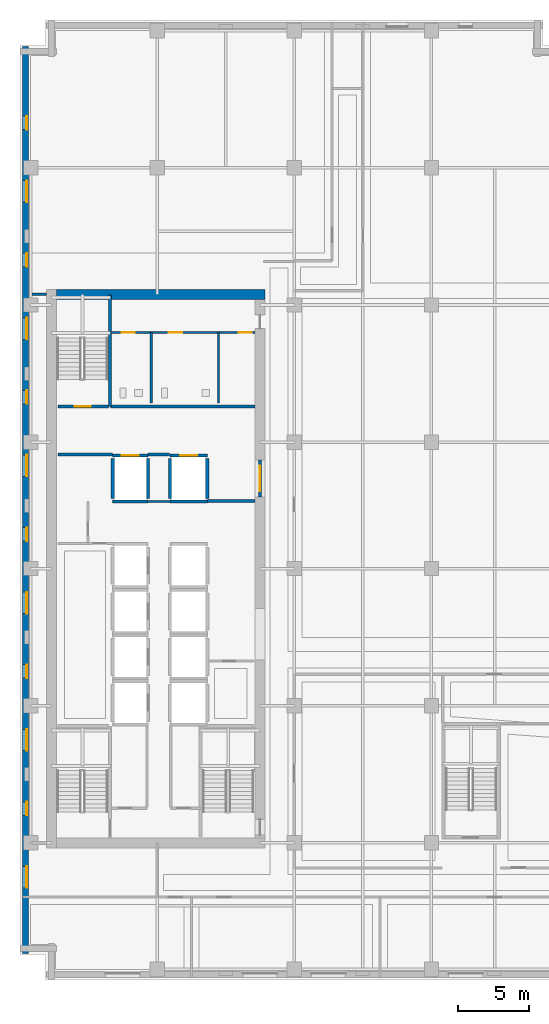
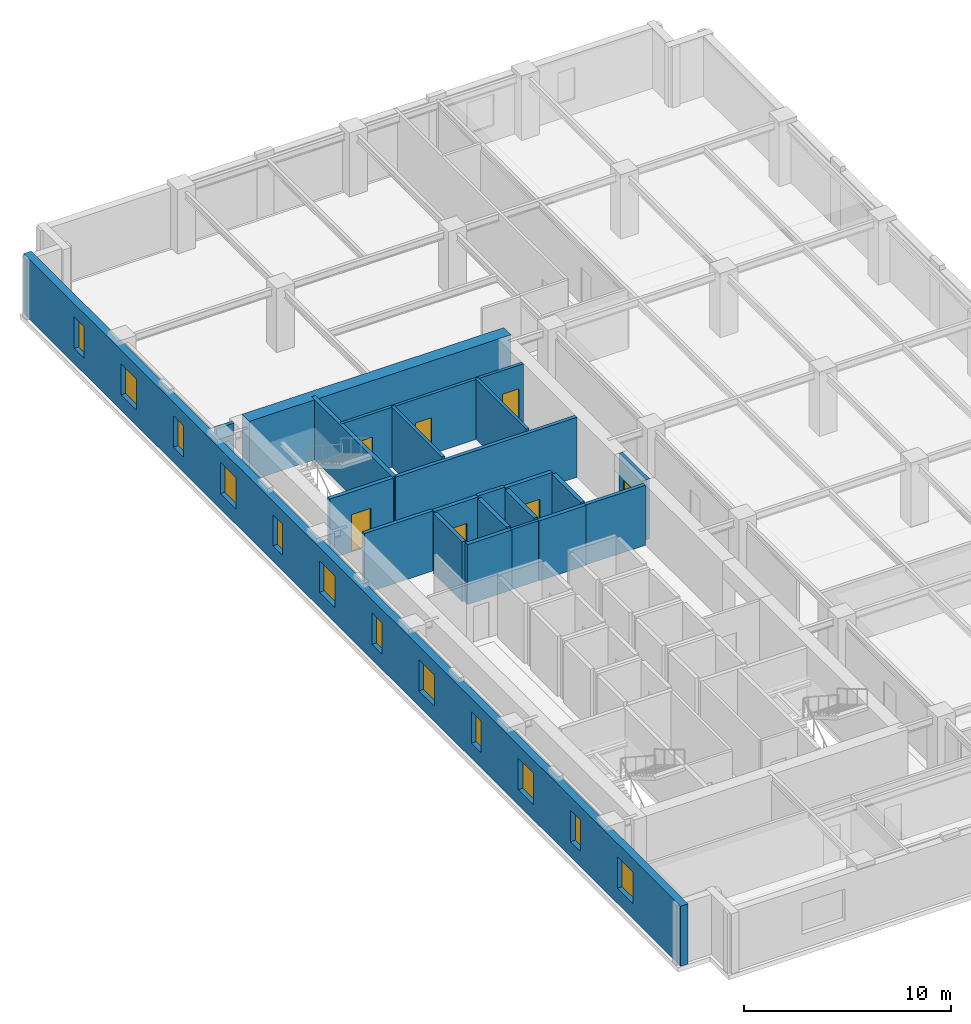
# One storey, part 6 of 12: 22 walls, 12 windows, 7 doors, 19 openings.
"""IFC4 building model written with IfcOpenShell, lengths in metres."""

from ifc_helpers import new_model, si_unit, direction, frame, frame_2d, origin, place, context, subcontext, project, spatial, rectangle, extrude, material, layer, layer_set, type_object, element, fill, save


model = new_model("IFC4")

# Units and contexts
model_context = context("Model", 3, precision=1e-05, world=origin(), true_north=direction((0.0, 1.0)))
body_context = subcontext(model_context, "Body", "Model", "MODEL_VIEW")
ifc_project = project(units=[si_unit("LENGTHUNIT", "METRE"), si_unit("AREAUNIT", "SQUARE_METRE"), si_unit("VOLUMEUNIT", "CUBIC_METRE"), si_unit("PLANEANGLEUNIT", "RADIAN"), si_unit("MASSUNIT", "GRAM", prefix="KILO")], contexts=[model_context])

# Site, building, storey
site_placement = place(None, origin())
site = spatial("IfcSite", under=ifc_project, at=site_placement, CompositionType="ELEMENT")
building_placement = place(site_placement, origin())
building = spatial("IfcBuilding", under=site, at=building_placement, Name="Norrvale University Quadrangle", CompositionType="ELEMENT")
storey_placement = place(building_placement, frame((0.0, 0.0, 101.39990234375)))
storey = spatial("IfcBuildingStorey", under=building, at=storey_placement, Name="L25", CompositionType="ELEMENT", Elevation=101.39990234375)

# Wall, openings, windows
ifc_material_1 = material(Name="Buff Norman Clay Brick Masonry", Category="masonry")
ifc_layer_1 = layer(ifc_material_1, 0.419921875, Name="Buff Norman Clay Brick Masonry")
ifc_layer_set_1 = layer_set([ifc_layer_1], Name="Buff Norman Clay Brick Masonry")
wall_type_1 = type_object("IfcWallType", Name="Wall Buff Brick 420", PredefinedType="SOLIDWALL", material=ifc_layer_set_1)
wall_1_placement = place(storey_placement, frame((0.389892578125, 65.360107421875, 0.0), z_axis=(0.0, 0.0, 1.0), x_axis=(0.0, -1.0, 0.0)))
wall_1 = element("IfcWall", 1, at=wall_1_placement, inside=storey, type_object=wall_type_1, Name="Exterior Brick Facade Wall L25-14.1", PredefinedType="SOLIDWALL", context=body_context, shape_type="SweptSolid", body=[
    extrude(rectangle(XDim=63.52001953125, YDim=0.419921875, at=frame_2d((31.760009765625, 0.0))), origin(), (0.0, 0.0, 1.0), 3.5400390625),
])
opening_1_placement = place(wall_1_placement, frame((4.885009765625, 0.0, 0.89990234375)))
opening_1 = element("IfcOpeningElement", 2, at=opening_1_placement, cuts=wall_1, Name="Opening W04", PredefinedType="OPENING", context=body_context, shape_type="SweptSolid", body=[
    extrude(rectangle(XDim=0.949951171875, YDim=1.85009765625, at=frame_2d((0.47509765625, 0.925048828125))), frame((0.0, 0.221923828125, 0.0), z_axis=(0.0, -1.0, 0.0), x_axis=(1.0, 0.0, 0.0)), (0.0, 0.0, 1.0), 0.44384765625),
])
opening_2_placement = place(wall_1_placement, frame((9.409912109375, 0.0, 0.89990234375)))
opening_2 = element("IfcOpeningElement", 3, at=opening_2_placement, cuts=wall_1, Name="Opening W03", PredefinedType="OPENING", context=body_context, shape_type="SweptSolid", body=[
    extrude(rectangle(XDim=1.5, YDim=1.85009765625, at=frame_2d((0.75, 0.925048828125))), frame((0.0, 0.221923828125, 0.0), z_axis=(0.0, -1.0, 0.0), x_axis=(1.0, 0.0, 0.0)), (0.0, 0.0, 1.0), 0.44384765625),
])
opening_3_placement = place(wall_1_placement, frame((14.485107421875, 0.0, 0.89990234375)))
opening_3 = element("IfcOpeningElement", 4, at=opening_3_placement, cuts=wall_1, Name="Opening W04", PredefinedType="OPENING", context=body_context, shape_type="SweptSolid", body=[
    extrude(rectangle(XDim=0.949951171875, YDim=1.85009765625, at=frame_2d((0.47509765625, 0.925048828125))), frame((0.0, 0.221923828125, 0.0), z_axis=(0.0, -1.0, 0.0), x_axis=(1.0, 0.0, 0.0)), (0.0, 0.0, 1.0), 0.44384765625),
])
opening_4_placement = place(wall_1_placement, frame((19.010009765625, 0.0, 0.89990234375)))
opening_4 = element("IfcOpeningElement", 5, at=opening_4_placement, cuts=wall_1, Name="Opening W03", PredefinedType="OPENING", context=body_context, shape_type="SweptSolid", body=[
    extrude(rectangle(XDim=1.5, YDim=1.85009765625, at=frame_2d((0.75, 0.925048828125))), frame((0.0, 0.221923828125, 0.0), z_axis=(0.0, -1.0, 0.0), x_axis=(1.0, 0.0, 0.0)), (0.0, 0.0, 1.0), 0.44384765625),
])
opening_5_placement = place(wall_1_placement, frame((24.0849609375, 0.0, 0.89990234375)))
opening_5 = element("IfcOpeningElement", 6, at=opening_5_placement, cuts=wall_1, Name="Opening W04", PredefinedType="OPENING", context=body_context, shape_type="SweptSolid", body=[
    extrude(rectangle(XDim=0.949951171875, YDim=1.85009765625, at=frame_2d((0.47509765625, 0.925048828125))), frame((0.0, 0.221923828125, 0.0), z_axis=(0.0, -1.0, 0.0), x_axis=(1.0, 0.0, 0.0)), (0.0, 0.0, 1.0), 0.44384765625),
])
opening_6_placement = place(wall_1_placement, frame((28.610107421875, 0.0, 0.89990234375)))
opening_6 = element("IfcOpeningElement", 7, at=opening_6_placement, cuts=wall_1, Name="Opening W03", PredefinedType="OPENING", context=body_context, shape_type="SweptSolid", body=[
    extrude(rectangle(XDim=1.5, YDim=1.85009765625, at=frame_2d((0.75, 0.925048828125))), frame((0.0, 0.221923828125, 0.0), z_axis=(0.0, -1.0, 0.0), x_axis=(1.0, 0.0, 0.0)), (0.0, 0.0, 1.0), 0.44384765625),
])
opening_7_placement = place(wall_1_placement, frame((33.68505859375, 0.0, 0.89990234375)))
opening_7 = element("IfcOpeningElement", 8, at=opening_7_placement, cuts=wall_1, Name="Opening W04", PredefinedType="OPENING", context=body_context, shape_type="SweptSolid", body=[
    extrude(rectangle(XDim=0.949951171875, YDim=1.85009765625, at=frame_2d((0.47509765625, 0.925048828125))), frame((0.0, 0.221923828125, 0.0), z_axis=(0.0, -1.0, 0.0), x_axis=(1.0, 0.0, 0.0)), (0.0, 0.0, 1.0), 0.44384765625),
])
opening_8_placement = place(wall_1_placement, frame((38.2099609375, 0.0, 0.89990234375)))
opening_8 = element("IfcOpeningElement", 9, at=opening_8_placement, cuts=wall_1, Name="Opening W03", PredefinedType="OPENING", context=body_context, shape_type="SweptSolid", body=[
    extrude(rectangle(XDim=1.5, YDim=1.85009765625, at=frame_2d((0.75, 0.925048828125))), frame((0.0, 0.221923828125, 0.0), z_axis=(0.0, -1.0, 0.0), x_axis=(1.0, 0.0, 0.0)), (0.0, 0.0, 1.0), 0.44384765625),
])
opening_9_placement = place(wall_1_placement, frame((43.284912109375, 0.0, 0.89990234375)))
opening_9 = element("IfcOpeningElement", 10, at=opening_9_placement, cuts=wall_1, Name="Opening W04", PredefinedType="OPENING", context=body_context, shape_type="SweptSolid", body=[
    extrude(rectangle(XDim=0.949951171875, YDim=1.85009765625, at=frame_2d((0.47509765625, 0.925048828125))), frame((0.0, 0.221923828125, 0.0), z_axis=(0.0, -1.0, 0.0), x_axis=(1.0, 0.0, 0.0)), (0.0, 0.0, 1.0), 0.44384765625),
])
opening_10_placement = place(wall_1_placement, frame((47.81005859375, 0.0, 0.89990234375)))
opening_10 = element("IfcOpeningElement", 11, at=opening_10_placement, cuts=wall_1, Name="Opening W03", PredefinedType="OPENING", context=body_context, shape_type="SweptSolid", body=[
    extrude(rectangle(XDim=1.5, YDim=1.85009765625, at=frame_2d((0.75, 0.925048828125))), frame((0.0, 0.221923828125, 0.0), z_axis=(0.0, -1.0, 0.0), x_axis=(1.0, 0.0, 0.0)), (0.0, 0.0, 1.0), 0.44384765625),
])
opening_11_placement = place(wall_1_placement, frame((52.885009765625, 0.0, 0.89990234375)))
opening_11 = element("IfcOpeningElement", 12, at=opening_11_placement, cuts=wall_1, Name="Opening W04", PredefinedType="OPENING", context=body_context, shape_type="SweptSolid", body=[
    extrude(rectangle(XDim=0.949951171875, YDim=1.85009765625, at=frame_2d((0.47509765625, 0.925048828125))), frame((0.0, 0.221923828125, 0.0), z_axis=(0.0, -1.0, 0.0), x_axis=(1.0, 0.0, 0.0)), (0.0, 0.0, 1.0), 0.44384765625),
])
opening_12_placement = place(wall_1_placement, frame((57.409912109375, 0.0, 0.89990234375)))
opening_12 = element("IfcOpeningElement", 13, at=opening_12_placement, cuts=wall_1, Name="Opening W03", PredefinedType="OPENING", context=body_context, shape_type="SweptSolid", body=[
    extrude(rectangle(XDim=1.5, YDim=1.85009765625, at=frame_2d((0.75, 0.925048828125))), frame((0.0, 0.221923828125, 0.0), z_axis=(0.0, -1.0, 0.0), x_axis=(1.0, 0.0, 0.0)), (0.0, 0.0, 1.0), 0.44384765625),
])
ifc_material_2 = material(Name="Triple Low-E Argon Glazing", Category="glass")
window_type_1 = type_object("IfcWindowType", Name="Window Narrow Pier 950x2300", PartitioningType="SINGLE_PANEL", PredefinedType="WINDOW", material=ifc_material_2)
window_1_placement = place(opening_1_placement, origin())
window_1 = element("IfcWindow", 14, at=window_1_placement, inside=storey, type_object=window_type_1, Name="Window Narrow Pier 950x2300 WIN-L25-E14-1-01", OverallHeight=1.85009765625, OverallWidth=0.949951171875, PartitioningType="SINGLE_PANEL", PredefinedType="WINDOW", context=body_context, shape_type="SweptSolid", body=[
    extrude(rectangle(XDim=0.949951171875, YDim=1.85009765625, at=frame_2d((0.47509765625, 0.925048828125))), frame((0.0, 0.110107421875, 0.0), z_axis=(0.0, -1.0, 0.0), x_axis=(1.0, 0.0, 0.0)), (0.0, 0.0, 1.0), 0.06005859375),
])
fill(opening_1, window_1)
window_2_placement = place(opening_3_placement, origin())
window_2 = element("IfcWindow", 15, at=window_2_placement, inside=storey, type_object=window_type_1, Name="Window Narrow Pier 950x2300 WIN-L25-E14-1-03", OverallHeight=1.85009765625, OverallWidth=0.949951171875, PartitioningType="SINGLE_PANEL", PredefinedType="WINDOW", context=body_context, shape_type="SweptSolid", body=[
    extrude(rectangle(XDim=0.949951171875, YDim=1.85009765625, at=frame_2d((0.47509765625, 0.925048828125))), frame((0.0, 0.110107421875, 0.0), z_axis=(0.0, -1.0, 0.0), x_axis=(1.0, 0.0, 0.0)), (0.0, 0.0, 1.0), 0.06005859375),
])
fill(opening_3, window_2)
window_3_placement = place(opening_5_placement, origin())
window_3 = element("IfcWindow", 16, at=window_3_placement, inside=storey, type_object=window_type_1, Name="Window Narrow Pier 950x2300 WIN-L25-E14-1-05", OverallHeight=1.85009765625, OverallWidth=0.949951171875, PartitioningType="SINGLE_PANEL", PredefinedType="WINDOW", context=body_context, shape_type="SweptSolid", body=[
    extrude(rectangle(XDim=0.949951171875, YDim=1.85009765625, at=frame_2d((0.47509765625, 0.925048828125))), frame((0.0, 0.110107421875, 0.0), z_axis=(0.0, -1.0, 0.0), x_axis=(1.0, 0.0, 0.0)), (0.0, 0.0, 1.0), 0.06005859375),
])
fill(opening_5, window_3)
window_4_placement = place(opening_7_placement, origin())
window_4 = element("IfcWindow", 17, at=window_4_placement, inside=storey, type_object=window_type_1, Name="Window Narrow Pier 950x2300 WIN-L25-E14-1-07", OverallHeight=1.85009765625, OverallWidth=0.949951171875, PartitioningType="SINGLE_PANEL", PredefinedType="WINDOW", context=body_context, shape_type="SweptSolid", body=[
    extrude(rectangle(XDim=0.949951171875, YDim=1.85009765625, at=frame_2d((0.47509765625, 0.925048828125))), frame((0.0, 0.110107421875, 0.0), z_axis=(0.0, -1.0, 0.0), x_axis=(1.0, 0.0, 0.0)), (0.0, 0.0, 1.0), 0.06005859375),
])
fill(opening_7, window_4)
window_5_placement = place(opening_9_placement, origin())
window_5 = element("IfcWindow", 18, at=window_5_placement, inside=storey, type_object=window_type_1, Name="Window Narrow Pier 950x2300 WIN-L25-E14-1-09", OverallHeight=1.85009765625, OverallWidth=0.949951171875, PartitioningType="SINGLE_PANEL", PredefinedType="WINDOW", context=body_context, shape_type="SweptSolid", body=[
    extrude(rectangle(XDim=0.949951171875, YDim=1.85009765625, at=frame_2d((0.47509765625, 0.925048828125))), frame((0.0, 0.110107421875, 0.0), z_axis=(0.0, -1.0, 0.0), x_axis=(1.0, 0.0, 0.0)), (0.0, 0.0, 1.0), 0.06005859375),
])
fill(opening_9, window_5)
window_6_placement = place(opening_11_placement, origin())
window_6 = element("IfcWindow", 19, at=window_6_placement, inside=storey, type_object=window_type_1, Name="Window Narrow Pier 950x2300 WIN-L25-E14-1-11", OverallHeight=1.85009765625, OverallWidth=0.949951171875, PartitioningType="SINGLE_PANEL", PredefinedType="WINDOW", context=body_context, shape_type="SweptSolid", body=[
    extrude(rectangle(XDim=0.949951171875, YDim=1.85009765625, at=frame_2d((0.47509765625, 0.925048828125))), frame((0.0, 0.110107421875, 0.0), z_axis=(0.0, -1.0, 0.0), x_axis=(1.0, 0.0, 0.0)), (0.0, 0.0, 1.0), 0.06005859375),
])
fill(opening_11, window_6)
window_type_2 = type_object("IfcWindowType", Name="Window Studio 1500x2300", PartitioningType="DOUBLE_PANEL_VERTICAL", PredefinedType="WINDOW", material=ifc_material_2)
window_7_placement = place(opening_2_placement, origin())
window_7 = element("IfcWindow", 20, at=window_7_placement, inside=storey, type_object=window_type_2, Name="Window Studio 1500x2300 WIN-L25-E14-1-02", OverallHeight=1.85009765625, OverallWidth=1.5, PartitioningType="DOUBLE_PANEL_VERTICAL", PredefinedType="WINDOW", context=body_context, shape_type="SweptSolid", body=[
    extrude(rectangle(XDim=1.5, YDim=1.85009765625, at=frame_2d((0.75, 0.925048828125))), frame((0.0, 0.110107421875, 0.0), z_axis=(0.0, -1.0, 0.0), x_axis=(1.0, 0.0, 0.0)), (0.0, 0.0, 1.0), 0.06005859375),
])
fill(opening_2, window_7)
window_8_placement = place(opening_4_placement, origin())
window_8 = element("IfcWindow", 21, at=window_8_placement, inside=storey, type_object=window_type_2, Name="Window Studio 1500x2300 WIN-L25-E14-1-04", OverallHeight=1.85009765625, OverallWidth=1.5, PartitioningType="DOUBLE_PANEL_VERTICAL", PredefinedType="WINDOW", context=body_context, shape_type="SweptSolid", body=[
    extrude(rectangle(XDim=1.5, YDim=1.85009765625, at=frame_2d((0.75, 0.925048828125))), frame((0.0, 0.110107421875, 0.0), z_axis=(0.0, -1.0, 0.0), x_axis=(1.0, 0.0, 0.0)), (0.0, 0.0, 1.0), 0.06005859375),
])
fill(opening_4, window_8)
window_9_placement = place(opening_6_placement, origin())
window_9 = element("IfcWindow", 22, at=window_9_placement, inside=storey, type_object=window_type_2, Name="Window Studio 1500x2300 WIN-L25-E14-1-06", OverallHeight=1.85009765625, OverallWidth=1.5, PartitioningType="DOUBLE_PANEL_VERTICAL", PredefinedType="WINDOW", context=body_context, shape_type="SweptSolid", body=[
    extrude(rectangle(XDim=1.5, YDim=1.85009765625, at=frame_2d((0.75, 0.925048828125))), frame((0.0, 0.110107421875, 0.0), z_axis=(0.0, -1.0, 0.0), x_axis=(1.0, 0.0, 0.0)), (0.0, 0.0, 1.0), 0.06005859375),
])
fill(opening_6, window_9)
window_10_placement = place(opening_8_placement, origin())
window_10 = element("IfcWindow", 23, at=window_10_placement, inside=storey, type_object=window_type_2, Name="Window Studio 1500x2300 WIN-L25-E14-1-08", OverallHeight=1.85009765625, OverallWidth=1.5, PartitioningType="DOUBLE_PANEL_VERTICAL", PredefinedType="WINDOW", context=body_context, shape_type="SweptSolid", body=[
    extrude(rectangle(XDim=1.5, YDim=1.85009765625, at=frame_2d((0.75, 0.925048828125))), frame((0.0, 0.110107421875, 0.0), z_axis=(0.0, -1.0, 0.0), x_axis=(1.0, 0.0, 0.0)), (0.0, 0.0, 1.0), 0.06005859375),
])
fill(opening_8, window_10)
window_11_placement = place(opening_10_placement, origin())
window_11 = element("IfcWindow", 24, at=window_11_placement, inside=storey, type_object=window_type_2, Name="Window Studio 1500x2300 WIN-L25-E14-1-10", OverallHeight=1.85009765625, OverallWidth=1.5, PartitioningType="DOUBLE_PANEL_VERTICAL", PredefinedType="WINDOW", context=body_context, shape_type="SweptSolid", body=[
    extrude(rectangle(XDim=1.5, YDim=1.85009765625, at=frame_2d((0.75, 0.925048828125))), frame((0.0, 0.110107421875, 0.0), z_axis=(0.0, -1.0, 0.0), x_axis=(1.0, 0.0, 0.0)), (0.0, 0.0, 1.0), 0.06005859375),
])
fill(opening_10, window_11)
window_12_placement = place(opening_12_placement, origin())
window_12 = element("IfcWindow", 25, at=window_12_placement, inside=storey, type_object=window_type_2, Name="Window Studio 1500x2300 WIN-L25-E14-1-12", OverallHeight=1.85009765625, OverallWidth=1.5, PartitioningType="DOUBLE_PANEL_VERTICAL", PredefinedType="WINDOW", context=body_context, shape_type="SweptSolid", body=[
    extrude(rectangle(XDim=1.5, YDim=1.85009765625, at=frame_2d((0.75, 0.925048828125))), frame((0.0, 0.110107421875, 0.0), z_axis=(0.0, -1.0, 0.0), x_axis=(1.0, 0.0, 0.0)), (0.0, 0.0, 1.0), 0.06005859375),
])
fill(opening_12, window_12)

# Walls
ifc_material_3 = material(Name="Concrete C60/75", Category="concrete")
ifc_layer_2 = layer(ifc_material_3, 0.699951171875, Name="Concrete C60/75")
ifc_layer_set_2 = layer_set([ifc_layer_2], Name="Concrete C60/75")
wall_type_2 = type_object("IfcWallType", Name="Wall Core 700", PredefinedType="SHEAR", material=ifc_layer_set_2)
wall_2_placement = place(storey_placement, frame((2.550048828125, 48.0, 0.0), z_axis=(0.0, 0.0, 1.0), x_axis=(1.0, 0.0, 0.0)))
element("IfcWall", 26, at=wall_2_placement, inside=storey, type_object=wall_type_2, Name="Tower Core Shear Wall L25-N", PredefinedType="SHEAR", context=body_context, shape_type="SweptSolid", body=[
    extrude(rectangle(XDim=14.599853515625, YDim=0.699951171875, at=frame_2d((7.2998046875, 0.0))), origin(), (0.0, 0.0, 1.0), 3.5400390625),
])
ifc_material_4 = material(Name="Fire-Rated Gypsum Stud Partition")
ifc_layer_3 = layer(ifc_material_4, 0.14990234375, Name="Fire-Rated Gypsum Stud Partition")
ifc_layer_set_3 = layer_set([ifc_layer_3], Name="Fire-Rated Gypsum Stud Partition")
wall_type_3 = type_object("IfcWallType", Name="Wall Gypsum Corridor 150", PredefinedType="PARTITIONING", material=ifc_layer_set_3)
wall_3_placement = place(storey_placement, frame((8.965087890625, 33.489990234375, 0.0), z_axis=(0.0, 0.0, 1.0), x_axis=(1.0, 0.0, 0.0)))
element("IfcWall", 27, at=wall_3_placement, inside=storey, type_object=wall_type_3, Name="Interior Partition WL-L25-LL3", PredefinedType="PARTITIONING", context=body_context, shape_type="SweptSolid", body=[
    extrude(rectangle(XDim=1.52001953125, YDim=0.14990234375, at=frame_2d((0.760009765625, 0.0))), origin(), (0.0, 0.0, 1.0), 3.5400390625),
])

# Wall, openings, doors
ifc_material_5 = material(Name="Sanitary Chase Gypsum Partition")
ifc_layer_4 = layer(ifc_material_5, 0.1650390625, Name="Sanitary Chase Gypsum Partition")
ifc_layer_set_4 = layer_set([ifc_layer_4], Name="Sanitary Chase Gypsum Partition")
wall_type_4 = type_object("IfcWallType", Name="Wall Gypsum Sanitary 165", PredefinedType="PLUMBINGWALL", material=ifc_layer_set_4)
wall_4_placement = place(storey_placement, frame((6.320068359375, 45.320068359375, 0.0), z_axis=(0.0, 0.0, 1.0), x_axis=(1.0, 0.0, 0.0)))
wall_4 = element("IfcWall", 28, at=wall_4_placement, inside=storey, type_object=wall_type_4, Name="Interior Partition WL-L25-WCN", PredefinedType="PLUMBINGWALL", context=body_context, shape_type="SweptSolid", body=[
    extrude(rectangle(XDim=10.1298828125, YDim=0.1650390625, at=frame_2d((5.06494140625, 0.0))), origin(), (0.0, 0.0, 1.0), 3.5400390625),
])
opening_13_placement = place(wall_4_placement, frame((0.800048828125, 0.0, 0.0)))
opening_13 = element("IfcOpeningElement", 29, at=opening_13_placement, cuts=wall_4, Name="Opening D08", PredefinedType="OPENING", context=body_context, shape_type="SweptSolid", body=[
    extrude(rectangle(XDim=0.919921875, YDim=2.14990234375, at=frame_2d((0.4599609375, 1.074951171875))), frame((0.0, 0.094482421875, 0.0), z_axis=(0.0, -1.0, 0.0), x_axis=(1.0, 0.0, 0.0)), (0.0, 0.0, 1.0), 0.18896484375),
])
opening_14_placement = place(wall_4_placement, frame((4.10009765625, 0.0, 0.0)))
opening_14 = element("IfcOpeningElement", 30, at=opening_14_placement, cuts=wall_4, Name="Opening D08", PredefinedType="OPENING", context=body_context, shape_type="SweptSolid", body=[
    extrude(rectangle(XDim=0.919921875, YDim=2.14990234375, at=frame_2d((0.4599609375, 1.074951171875))), frame((0.0, 0.094482421875, 0.0), z_axis=(0.0, -1.0, 0.0), x_axis=(1.0, 0.0, 0.0)), (0.0, 0.0, 1.0), 0.18896484375),
])
opening_15_placement = place(wall_4_placement, frame((8.97998046875, 0.0, 0.0)))
opening_15 = element("IfcOpeningElement", 31, at=opening_15_placement, cuts=wall_4, Name="Opening D08", PredefinedType="OPENING", context=body_context, shape_type="SweptSolid", body=[
    extrude(rectangle(XDim=0.919921875, YDim=2.14990234375, at=frame_2d((0.4599609375, 1.074951171875))), frame((0.0, 0.094482421875, 0.0), z_axis=(0.0, -1.0, 0.0), x_axis=(1.0, 0.0, 0.0)), (0.0, 0.0, 1.0), 0.18896484375),
])
ifc_material_6 = material(Name="Laminate Washroom Door", Category="wood")
door_type_1 = type_object("IfcDoorType", Name="Door Washroom 920x2150", OperationType="NOTDEFINED", PredefinedType="DOOR", material=ifc_material_6)
door_1_placement = place(opening_13_placement, origin())
door_1 = element("IfcDoor", 32, at=door_1_placement, inside=storey, type_object=door_type_1, Name="Door Washroom 920x2150 DR-L25-WC1", OperationType="SINGLE_SWING_LEFT", OverallHeight=2.14990234375, OverallWidth=0.919921875, PredefinedType="DOOR", context=body_context, shape_type="SweptSolid", body=[
    extrude(rectangle(XDim=0.919921875, YDim=2.14990234375, at=frame_2d((0.4599609375, 1.074951171875))), frame((0.0, 0.02490234375, 0.0), z_axis=(0.0, -1.0, 0.0), x_axis=(1.0, 0.0, 0.0)), (0.0, 0.0, 1.0), 0.050048828125),
])
fill(opening_13, door_1)
door_2_placement = place(opening_14_placement, origin())
door_2 = element("IfcDoor", 33, at=door_2_placement, inside=storey, type_object=door_type_1, Name="Door Washroom 920x2150 DR-L25-WC2", OperationType="SINGLE_SWING_RIGHT", OverallHeight=2.14990234375, OverallWidth=0.919921875, PredefinedType="DOOR", context=body_context, shape_type="SweptSolid", body=[
    extrude(rectangle(XDim=0.919921875, YDim=2.14990234375, at=frame_2d((0.4599609375, 1.074951171875))), frame((0.0, 0.02490234375, 0.0), z_axis=(0.0, -1.0, 0.0), x_axis=(1.0, 0.0, 0.0)), (0.0, 0.0, 1.0), 0.050048828125),
])
fill(opening_14, door_2)
door_3_placement = place(opening_15_placement, origin())
door_3 = element("IfcDoor", 34, at=door_3_placement, inside=storey, type_object=door_type_1, Name="Door Washroom 920x2150 DR-L25-WC3", OperationType="SINGLE_SWING_LEFT", OverallHeight=2.14990234375, OverallWidth=0.919921875, PredefinedType="DOOR", context=body_context, shape_type="SweptSolid", body=[
    extrude(rectangle(XDim=0.919921875, YDim=2.14990234375, at=frame_2d((0.4599609375, 1.074951171875))), frame((0.0, 0.02490234375, 0.0), z_axis=(0.0, -1.0, 0.0), x_axis=(1.0, 0.0, 0.0)), (0.0, 0.0, 1.0), 0.050048828125),
])
fill(opening_15, door_3)

# Walls
for number, where, z_axis, x_axis, name in (
    (35, (9.199951171875, 40.39990234375, 0.0), (0.0, 0.0, 1.0), (0.0, 1.0, 0.0), "Interior Partition WL-L25-WCM1"),
    (36, (13.89990234375, 40.39990234375, 0.0), (0.0, 0.0, 1.0), (0.0, 1.0, 0.0), "Interior Partition WL-L25-WCM2"),
):
    element("IfcWall", number, at=place(storey_placement, frame(where, z_axis=z_axis, x_axis=x_axis)), inside=storey, type_object=wall_type_4, Name=name, PredefinedType="PLUMBINGWALL", context=body_context, shape_type="SweptSolid", body=[
        extrude(rectangle(XDim=4.920166015625, YDim=0.1650390625, at=frame_2d((2.4599609375, 0.0))), origin(), (0.0, 0.0, 1.0), 3.5400390625),
    ])
ifc_material_7 = material(Name="Concrete Blockwork 20 MPa Rated Wall", Category="masonry")
ifc_layer_5 = layer(ifc_material_7, 0.199951171875, Name="Concrete Blockwork 20 MPa Rated Wall")
ifc_layer_set_5 = layer_set([ifc_layer_5], Name="Concrete Blockwork 20 MPa Rated Wall")
wall_type_5 = type_object("IfcWallType", Name="Wall Lobby 200", PredefinedType="SOLIDWALL", material=ifc_layer_set_5)
wall_5_placement = place(storey_placement, frame((2.64990234375, 36.780029296875, 0.0), z_axis=(0.0, 0.0, 1.0), x_axis=(1.0, 0.0, 0.0)))
element("IfcWall", 37, at=wall_5_placement, inside=storey, type_object=wall_type_5, Name="Interior Partition WL-L25-FF1", PredefinedType="SOLIDWALL", context=body_context, shape_type="SweptSolid", body=[
    extrude(rectangle(XDim=3.830078125, YDim=0.199951171875, at=frame_2d((1.9150390625, 0.0))), origin(), (0.0, 0.0, 1.0), 3.5400390625),
])
wall_6_placement = place(storey_placement, frame((8.969970703125, 36.780029296875, 0.0), z_axis=(0.0, 0.0, 1.0), x_axis=(1.0, 0.0, 0.0)))
element("IfcWall", 38, at=wall_6_placement, inside=storey, type_object=wall_type_5, Name="Interior Partition WL-L25-FF2", PredefinedType="SOLIDWALL", context=body_context, shape_type="SweptSolid", body=[
    extrude(rectangle(XDim=1.510009765625, YDim=0.199951171875, at=frame_2d((0.7548828125, 0.0))), origin(), (0.0, 0.0, 1.0), 3.5400390625),
])
wall_7_placement = place(storey_placement, frame((13.1201171875, 33.52001953125, 0.0), z_axis=(0.0, 0.0, 1.0), x_axis=(1.0, 0.0, 0.0)))
element("IfcWall", 39, at=wall_7_placement, inside=storey, type_object=wall_type_5, Name="Interior Partition WL-L25-FF3", PredefinedType="SOLIDWALL", context=body_context, shape_type="SweptSolid", body=[
    extrude(rectangle(XDim=3.329833984375, YDim=0.199951171875, at=frame_2d((1.6650390625, 0.0))), origin(), (0.0, 0.0, 1.0), 3.5400390625),
])
wall_8_placement = place(storey_placement, frame((6.320068359375, 40.139892578125, 0.0), z_axis=(0.0, 0.0, 1.0), x_axis=(1.0, 0.0, 0.0)))
element("IfcWall", 40, at=wall_8_placement, inside=storey, type_object=wall_type_5, Name="Interior Partition WL-L25-FF4", PredefinedType="SOLIDWALL", context=body_context, shape_type="SweptSolid", body=[
    extrude(rectangle(XDim=10.1298828125, YDim=0.199951171875, at=frame_2d((5.06494140625, 0.0))), origin(), (0.0, 0.0, 1.0), 3.5400390625),
])

# Wall, opening, door
wall_9_placement = place(storey_placement, frame((16.800048828125, 33.800048828125, 0.0), z_axis=(0.0, 0.0, 1.0), x_axis=(0.0, 1.0, 0.0)))
wall_9 = element("IfcWall", 41, at=wall_9_placement, inside=storey, type_object=wall_type_5, Name="Interior Partition WL-L25-FFP", PredefinedType="SOLIDWALL", context=body_context, shape_type="SweptSolid", body=[
    extrude(rectangle(XDim=2.599853515625, YDim=0.199951171875, at=frame_2d((1.2998046875, 0.0))), origin(), (0.0, 0.0, 1.0), 3.5400390625),
])
opening_16_placement = place(wall_9_placement, frame((0.39990234375, 0.0, 0.0)))
opening_16 = element("IfcOpeningElement", 42, at=opening_16_placement, cuts=wall_9, Name="Opening D03", PredefinedType="OPENING", context=body_context, shape_type="SweptSolid", body=[
    extrude(rectangle(XDim=1.800048828125, YDim=2.199951171875, at=frame_2d((0.89990234375, 1.10009765625))), frame((0.0, 0.112060546875, 0.0), z_axis=(0.0, -1.0, 0.0), x_axis=(1.0, 0.0, 0.0)), (0.0, 0.0, 1.0), 0.223876953125),
])
ifc_material_8 = material(Name="Hollow Steel 350W Fire Door", Category="steel")
door_type_2 = type_object("IfcDoorType", Name="Door Fire Lobby 1800x2200", OperationType="DOUBLE_DOOR_SINGLE_SWING", PredefinedType="DOOR", material=ifc_material_8)
door_4_placement = place(opening_16_placement, origin())
door_4 = element("IfcDoor", 43, at=door_4_placement, inside=storey, type_object=door_type_2, Name="Door Fire Lobby 1800x2200 DR-L25-FFP", OperationType="DOUBLE_DOOR_SINGLE_SWING", OverallHeight=2.199951171875, OverallWidth=1.800048828125, PredefinedType="DOOR", context=body_context, shape_type="SweptSolid", body=[
    extrude(rectangle(XDim=1.800048828125, YDim=2.199951171875, at=frame_2d((0.89990234375, 1.10009765625))), frame((0.0, 0.02490234375, 0.0), z_axis=(0.0, -1.0, 0.0), x_axis=(1.0, 0.0, 0.0)), (0.0, 0.0, 1.0), 0.050048828125),
])
fill(opening_16, door_4)

# Wall
wall_10_placement = place(storey_placement, frame((0.85009765625, 48.0, 0.0), z_axis=(0.0, 0.0, 1.0), x_axis=(1.0, 0.0, 0.0)))
element("IfcWall", 44, at=wall_10_placement, inside=storey, type_object=wall_type_5, Name="Interior Partition WL-L25-CWRET-N", PredefinedType="SOLIDWALL", context=body_context, shape_type="SweptSolid", body=[
    extrude(rectangle(XDim=0.994873046875, YDim=0.199951171875, at=frame_2d((0.49755859375, 0.0))), origin(), (0.0, 0.0, 1.0), 3.5400390625),
])

# Wall, opening, door
ifc_material_9 = material(Name="Concrete Blockwork 20 MPa Fire Shaft", Category="masonry")
ifc_layer_6 = layer(ifc_material_9, 0.219970703125, Name="Concrete Blockwork 20 MPa Fire Shaft")
ifc_layer_set_6 = layer_set([ifc_layer_6], Name="Concrete Blockwork 20 MPa Fire Shaft")
wall_type_6 = type_object("IfcWallType", Name="Wall Shaft 220", PredefinedType="SOLIDWALL", material=ifc_layer_set_6)
wall_11_placement = place(storey_placement, frame((2.64990234375, 40.139892578125, 0.0), z_axis=(0.0, 0.0, 1.0), x_axis=(1.0, 0.0, 0.0)))
wall_11 = element("IfcWall", 45, at=wall_11_placement, inside=storey, type_object=wall_type_6, Name="Stair ST-02 South Shaft Wall L25", PredefinedType="SOLIDWALL", context=body_context, shape_type="SweptSolid", body=[
    extrude(rectangle(XDim=3.550048828125, YDim=0.219970703125, at=frame_2d((1.77490234375, 0.0))), origin(), (0.0, 0.0, 1.0), 3.5400390625),
])
opening_17_placement = place(wall_11_placement, frame((1.199951171875, 0.0, 0.0)))
opening_17 = element("IfcOpeningElement", 46, at=opening_17_placement, cuts=wall_11, Name="Opening D02", PredefinedType="OPENING", context=body_context, shape_type="SweptSolid", body=[
    extrude(rectangle(XDim=1.10009765625, YDim=2.199951171875, at=frame_2d((0.550048828125, 1.10009765625))), frame((0.0, 0.1220703125, 0.0), z_axis=(0.0, -1.0, 0.0), x_axis=(1.0, 0.0, 0.0)), (0.0, 0.0, 1.0), 0.243896484375),
])
door_type_3 = type_object("IfcDoorType", Name="Door Stair Exit 1100x2200", OperationType="NOTDEFINED", PredefinedType="DOOR", material=ifc_material_8)
door_5_placement = place(opening_17_placement, origin())
door_5 = element("IfcDoor", 47, at=door_5_placement, inside=storey, type_object=door_type_3, Name="Door Stair Exit 1100x2200 DR-L25-ST02", OperationType="SINGLE_SWING_LEFT", OverallHeight=2.199951171875, OverallWidth=1.10009765625, PredefinedType="DOOR", context=body_context, shape_type="SweptSolid", body=[
    extrude(rectangle(XDim=1.10009765625, YDim=2.199951171875, at=frame_2d((0.550048828125, 1.10009765625))), frame((0.0, 0.02490234375, 0.0), z_axis=(0.0, -1.0, 0.0), x_axis=(1.0, 0.0, 0.0)), (0.0, 0.0, 1.0), 0.050048828125),
])
fill(opening_17, door_5)

# Walls
wall_12_placement = place(storey_placement, frame((6.31005859375, 40.139892578125, 0.0), z_axis=(0.0, 0.0, 1.0), x_axis=(0.0, 1.0, 0.0)))
element("IfcWall", 48, at=wall_12_placement, inside=storey, type_object=wall_type_6, Name="Stair ST-02 East Shaft Wall L25", PredefinedType="SOLIDWALL", context=body_context, shape_type="SweptSolid", body=[
    extrude(rectangle(XDim=7.81005859375, YDim=0.219970703125, at=frame_2d((3.905029296875, 0.0))), origin(), (0.0, 0.0, 1.0), 3.5400390625),
])
for number, where, z_axis, x_axis, name in (
    (49, (6.489990234375, 33.7099609375, 0.0), (0.0, 0.0, 1.0), (0.0, 1.0, 0.0), "Hoistway FFL-01 West Wall L25"),
    (50, (8.9599609375, 33.7099609375, 0.0), (0.0, 0.0, 1.0), (0.0, 1.0, 0.0), "Hoistway FFL-01 East Wall L25"),
):
    element("IfcWall", number, at=place(storey_placement, frame(where, z_axis=z_axis, x_axis=x_axis)), inside=storey, type_object=wall_type_6, Name=name, PredefinedType="SOLIDWALL", context=body_context, shape_type="SweptSolid", body=[
        extrude(rectangle(XDim=2.780029296875, YDim=0.219970703125, at=frame_2d((1.39013671875, 0.0))), origin(), (0.0, 0.0, 1.0), 3.5400390625),
    ])
wall_13_placement = place(storey_placement, frame((6.489990234375, 33.489990234375, 0.0), z_axis=(0.0, 0.0, 1.0), x_axis=(1.0, 0.0, 0.0)))
element("IfcWall", 51, at=wall_13_placement, inside=storey, type_object=wall_type_6, Name="Hoistway FFL-01 South Wall L25", PredefinedType="SOLIDWALL", context=body_context, shape_type="SweptSolid", body=[
    extrude(rectangle(XDim=2.469970703125, YDim=0.219970703125, at=frame_2d((1.23486328125, 0.0))), origin(), (0.0, 0.0, 1.0), 3.5400390625),
])

# Wall, opening, door
wall_14_placement = place(storey_placement, frame((6.489990234375, 36.7099609375, 0.0), z_axis=(0.0, 0.0, 1.0), x_axis=(1.0, 0.0, 0.0)))
wall_14 = element("IfcWall", 52, at=wall_14_placement, inside=storey, type_object=wall_type_6, Name="Hoistway FFL-01 North Wall L25", PredefinedType="SOLIDWALL", context=body_context, shape_type="SweptSolid", body=[
    extrude(rectangle(XDim=2.469970703125, YDim=0.219970703125, at=frame_2d((1.23486328125, 0.0))), origin(), (0.0, 0.0, 1.0), 3.5400390625),
])
opening_18_placement = place(wall_14_placement, frame((0.635009765625, 0.0, 0.0)))
opening_18 = element("IfcOpeningElement", 53, at=opening_18_placement, cuts=wall_14, Name="Opening LD2", PredefinedType="OPENING", context=body_context, shape_type="SweptSolid", body=[
    extrude(rectangle(XDim=1.199951171875, YDim=2.199951171875, at=frame_2d((0.60009765625, 1.10009765625))), frame((0.0, 0.1220703125, 0.0), z_axis=(0.0, -1.0, 0.0), x_axis=(1.0, 0.0, 0.0)), (0.0, 0.0, 1.0), 0.243896484375),
])
ifc_material_10 = material(Name="Stainless Steel 316L Firefighter Lift Door", Category="steel")
door_type_4 = type_object("IfcDoorType", Name="Door Fire Lift 1200x2200", OperationType="DOUBLE_DOOR_SLIDING", PredefinedType="DOOR", material=ifc_material_10)
door_6_placement = place(opening_18_placement, origin())
door_6 = element("IfcDoor", 54, at=door_6_placement, inside=storey, type_object=door_type_4, Name="Elevator Landing Door DR-L25-FFL-01", OperationType="DOUBLE_DOOR_SLIDING", OverallHeight=2.199951171875, OverallWidth=1.199951171875, PredefinedType="DOOR", context=body_context, shape_type="SweptSolid", body=[
    extrude(rectangle(XDim=1.199951171875, YDim=2.199951171875, at=frame_2d((0.60009765625, 1.10009765625))), frame((0.0, 0.02490234375, 0.0), z_axis=(0.0, -1.0, 0.0), x_axis=(1.0, 0.0, 0.0)), (0.0, 0.0, 1.0), 0.050048828125),
])
fill(opening_18, door_6)

# Walls
for number, where, z_axis, x_axis, name in (
    (55, (10.489990234375, 33.7099609375, 0.0), (0.0, 0.0, 1.0), (0.0, 1.0, 0.0), "Hoistway FFL-02 West Wall L25"),
    (56, (13.110107421875, 33.7099609375, 0.0), (0.0, 0.0, 1.0), (0.0, 1.0, 0.0), "Hoistway FFL-02 East Wall L25"),
):
    element("IfcWall", number, at=place(storey_placement, frame(where, z_axis=z_axis, x_axis=x_axis)), inside=storey, type_object=wall_type_6, Name=name, PredefinedType="SOLIDWALL", context=body_context, shape_type="SweptSolid", body=[
        extrude(rectangle(XDim=2.780029296875, YDim=0.219970703125, at=frame_2d((1.39013671875, 0.0))), origin(), (0.0, 0.0, 1.0), 3.5400390625),
    ])
wall_15_placement = place(storey_placement, frame((10.489990234375, 33.489990234375, 0.0), z_axis=(0.0, 0.0, 1.0), x_axis=(1.0, 0.0, 0.0)))
element("IfcWall", 57, at=wall_15_placement, inside=storey, type_object=wall_type_6, Name="Hoistway FFL-02 South Wall L25", PredefinedType="SOLIDWALL", context=body_context, shape_type="SweptSolid", body=[
    extrude(rectangle(XDim=2.6201171875, YDim=0.219970703125, at=frame_2d((1.31005859375, 0.0))), origin(), (0.0, 0.0, 1.0), 3.5400390625),
])

# Wall, opening, door
wall_16_placement = place(storey_placement, frame((10.489990234375, 36.7099609375, 0.0), z_axis=(0.0, 0.0, 1.0), x_axis=(1.0, 0.0, 0.0)))
wall_16 = element("IfcWall", 58, at=wall_16_placement, inside=storey, type_object=wall_type_6, Name="Hoistway FFL-02 North Wall L25", PredefinedType="SOLIDWALL", context=body_context, shape_type="SweptSolid", body=[
    extrude(rectangle(XDim=2.6201171875, YDim=0.219970703125, at=frame_2d((1.31005859375, 0.0))), origin(), (0.0, 0.0, 1.0), 3.5400390625),
])
opening_19_placement = place(wall_16_placement, frame((0.7099609375, 0.0, 0.0)))
opening_19 = element("IfcOpeningElement", 59, at=opening_19_placement, cuts=wall_16, Name="Opening LD2", PredefinedType="OPENING", context=body_context, shape_type="SweptSolid", body=[
    extrude(rectangle(XDim=1.199951171875, YDim=2.199951171875, at=frame_2d((0.60009765625, 1.10009765625))), frame((0.0, 0.1220703125, 0.0), z_axis=(0.0, -1.0, 0.0), x_axis=(1.0, 0.0, 0.0)), (0.0, 0.0, 1.0), 0.243896484375),
])
door_7_placement = place(opening_19_placement, origin())
door_7 = element("IfcDoor", 60, at=door_7_placement, inside=storey, type_object=door_type_4, Name="Elevator Landing Door DR-L25-FFL-02", OperationType="DOUBLE_DOOR_SLIDING", OverallHeight=2.199951171875, OverallWidth=1.199951171875, PredefinedType="DOOR", context=body_context, shape_type="SweptSolid", body=[
    extrude(rectangle(XDim=1.199951171875, YDim=2.199951171875, at=frame_2d((0.60009765625, 1.10009765625))), frame((0.0, 0.02490234375, 0.0), z_axis=(0.0, -1.0, 0.0), x_axis=(1.0, 0.0, 0.0)), (0.0, 0.0, 1.0), 0.050048828125),
])
fill(opening_19, door_7)

save(model, "model.ifc")
